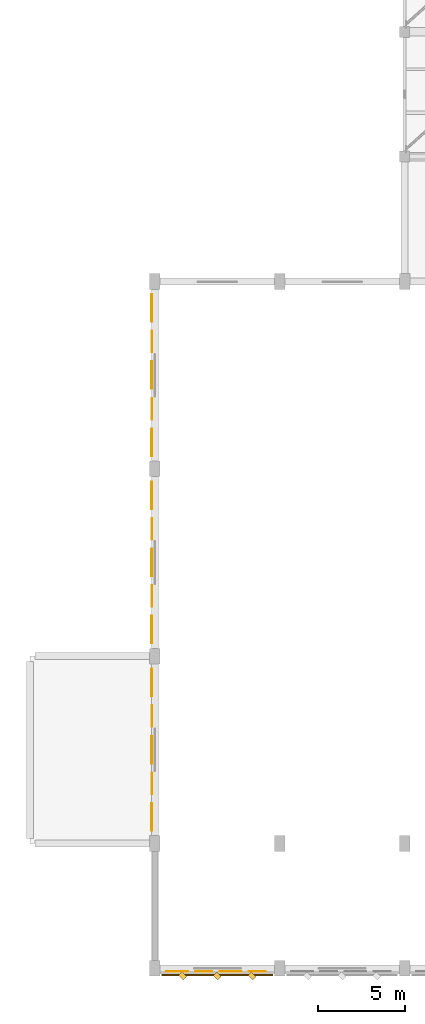
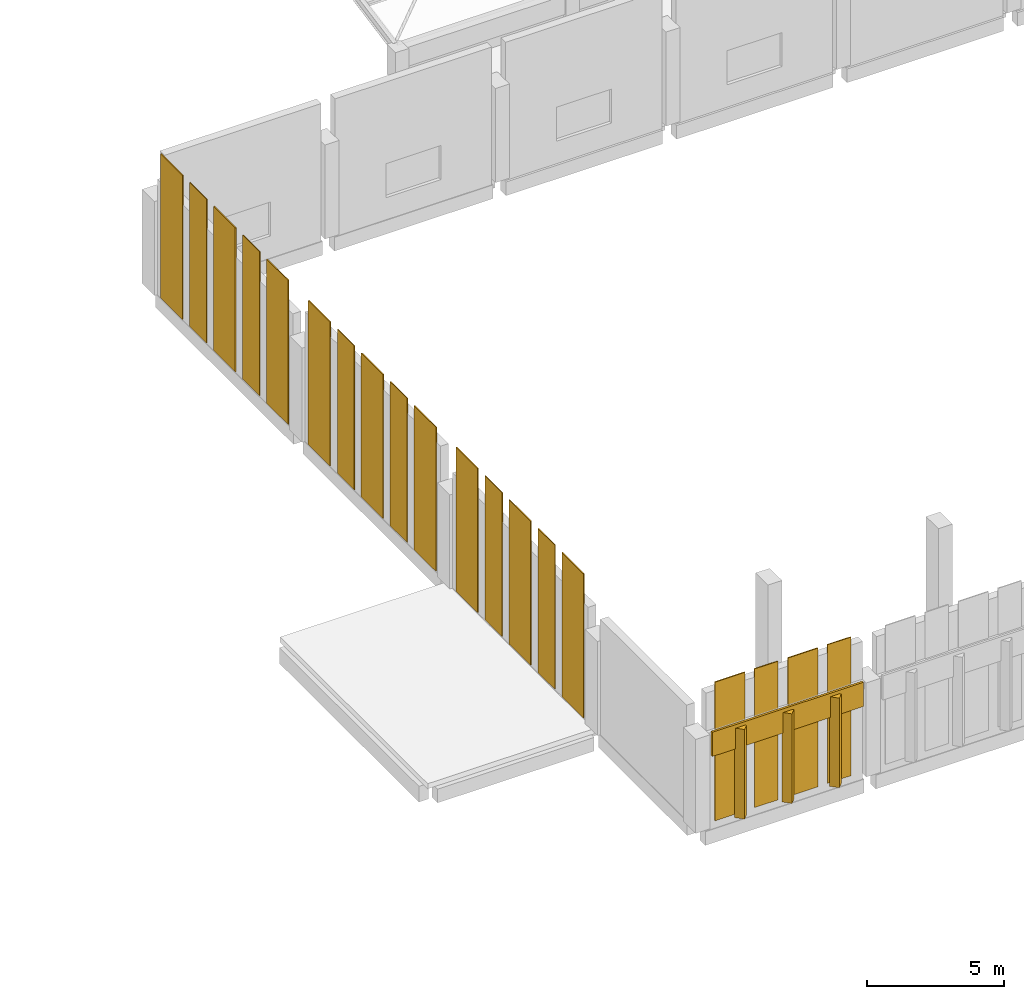
# One storey, part 64 of 72: 23 coverings.
"""IFC4 building model written with IfcOpenShell, lengths in metres."""

from ifc_helpers import new_model, si_unit, direction, frame, origin, origin_2d, place, context, subcontext, project, spatial, rectangle, extrude, material, layer, layer_set, type_object, element, save


model = new_model("IFC4")

# Units and contexts
model_context = context("Model", 3, precision=1e-05, world=origin(), true_north=direction((0.0, 1.0)))
body_context = subcontext(model_context, "Body", "Model", "MODEL_VIEW")
ifc_project = project(units=[si_unit("LENGTHUNIT", "METRE"), si_unit("AREAUNIT", "SQUARE_METRE"), si_unit("VOLUMEUNIT", "CUBIC_METRE"), si_unit("PLANEANGLEUNIT", "RADIAN"), si_unit("MASSUNIT", "GRAM", prefix="KILO")], contexts=[model_context])

# Site, building, storey
site_placement = place(None, origin())
site = spatial("IfcSite", under=ifc_project, at=site_placement, CompositionType="ELEMENT")
building_placement = place(site_placement, origin())
building = spatial("IfcBuilding", under=site, at=building_placement, Name="Lusvemor Sports Hall", CompositionType="ELEMENT")
storey_placement = place(building_placement, frame((0.0, 0.0, 15.0)))
storey = spatial("IfcBuildingStorey", under=building, at=storey_placement, Name="L03", CompositionType="ELEMENT", Elevation=15.0)

# Coverings
ifc_material_1 = material(Name="Emerald polychrome glazed ceramic cladding on Concrete C40/50 backing", Category="concrete")
ifc_layer_1 = layer(ifc_material_1, 0.0458984375)
ifc_layer_set_1 = layer_set([ifc_layer_1], Name="Emerald polychrome glazed ceramic cladding on Concrete C40/50 backing")
covering_type_1 = type_object("IfcCoveringType", Name="CLAD_WAVE_EMERALD", PredefinedType="CLADDING", material=ifc_layer_set_1)
for number, where, z_axis, x_axis, name in (
    (1, (120.090087890625, -0.177978515625, 0.080078125), (0.0, 0.0, 1.0), (1.0, 0.0, 0.0), "Art Nouveau Patterned Cladding PS-V2CS-0-1"),
    (2, (123.169921875, -0.177978515625, 0.080078125), (0.0, 0.0, 1.0), (1.0, 0.0, 0.0), "Art Nouveau Patterned Cladding PS-V2CS-0-3"),
):
    element("IfcCovering", number, at=place(storey_placement, frame(where, z_axis=z_axis, x_axis=x_axis)), inside=storey, type_object=covering_type_1, Name=name, PredefinedType="CLADDING", context=body_context, shape_type="SweptSolid", body=[
        extrude(rectangle(XDim=1.2626953125, YDim=0.0458984375, at=origin_2d()), origin(), (0.0, 0.0, 1.0), 6.18994140625),
    ])
for number, where, z_axis, x_axis, name in (
    (3, (118.6220703125, 8.72802734375, 0.0400390625), (0.0, 0.0, 1.0), (1.0, 0.0, 0.0), "Art Nouveau Patterned Cladding PS-V2W3-1-1"),
    (4, (118.6220703125, 12.60009765625, 0.0400390625), (0.0, 0.0, 1.0), (1.0, 0.0, 0.0), "Art Nouveau Patterned Cladding PS-V2W3-1-3"),
    (5, (118.6220703125, 16.471923828125, 0.0400390625), (0.0, 0.0, 1.0), (1.0, 0.0, 0.0), "Art Nouveau Patterned Cladding PS-V2W3-1-5"),
    (6, (118.6220703125, 19.528076171875, 0.0400390625), (0.0, 0.0, 1.0), (1.0, 0.0, 0.0), "Art Nouveau Patterned Cladding PS-V2W3-2-1"),
    (7, (118.6220703125, 23.39990234375, 0.0400390625), (0.0, 0.0, 1.0), (1.0, 0.0, 0.0), "Art Nouveau Patterned Cladding PS-V2W3-2-3"),
    (8, (118.6220703125, 27.27197265625, 0.0400390625), (0.0, 0.0, 1.0), (1.0, 0.0, 0.0), "Art Nouveau Patterned Cladding PS-V2W3-2-5"),
    (9, (118.6220703125, 30.327880859375, 0.0400390625), (0.0, 0.0, 1.0), (1.0, 0.0, 0.0), "Art Nouveau Patterned Cladding PS-V2W3-3-1"),
    (10, (118.6220703125, 34.199951171875, 0.0400390625), (0.0, 0.0, 1.0), (1.0, 0.0, 0.0), "Art Nouveau Patterned Cladding PS-V2W3-3-3"),
    (11, (118.6220703125, 38.072021484375, 0.0400390625), (0.0, 0.0, 1.0), (1.0, 0.0, 0.0), "Art Nouveau Patterned Cladding PS-V2W3-3-5"),
):
    element("IfcCovering", number, at=place(storey_placement, frame(where, z_axis=z_axis, x_axis=x_axis)), inside=storey, type_object=covering_type_1, Name=name, PredefinedType="CLADDING", context=body_context, shape_type="SweptSolid", body=[
        extrude(rectangle(XDim=0.0458984375, YDim=1.58740234375, at=origin_2d()), origin(), (0.0, 0.0, 1.0), 6.429931640625),
    ])
covering_1_placement = place(storey_placement, frame((122.39990234375, -0.43994140625, 0.10009765625), z_axis=(0.0, 0.0, 1.0), x_axis=(0.707106781187, 0.707106781187, 0.0)))
element("IfcCovering", 12, at=covering_1_placement, inside=storey, type_object=covering_type_1, Name="Patterned Diamond Cladding Rib 158", PredefinedType="CLADDING", context=body_context, shape_type="SweptSolid", body=[
    extrude(rectangle(XDim=0.280029296875, YDim=0.3798828125, at=origin_2d()), origin(), (0.0, 0.0, 1.0), 4.0),
])
ifc_material_2 = material(Name="Warm terracotta Art Nouveau ceramic cladding on Concrete C40/50 backing", Category="masonry")
ifc_layer_2 = layer(ifc_material_2, 0.0380859375)
ifc_layer_set_2 = layer_set([ifc_layer_2], Name="Warm terracotta Art Nouveau ceramic cladding on Concrete C40/50 backing")
covering_type_2 = type_object("IfcCoveringType", Name="CLAD_WAVE_OCHRE", PredefinedType="CLADDING", material=ifc_layer_set_2)
for number, where, z_axis, x_axis, name in (
    (13, (121.6298828125, -0.174072265625, 0.080078125), (0.0, 0.0, 1.0), (1.0, 0.0, 0.0), "Art Nouveau Patterned Cladding PS-V2CS-0-2"),
    (14, (124.7099609375, -0.174072265625, 0.080078125), (0.0, 0.0, 1.0), (1.0, 0.0, 0.0), "Art Nouveau Patterned Cladding PS-V2CS-0-4"),
):
    element("IfcCovering", number, at=place(storey_placement, frame(where, z_axis=z_axis, x_axis=x_axis)), inside=storey, type_object=covering_type_2, Name=name, PredefinedType="CLADDING", context=body_context, shape_type="SweptSolid", body=[
        extrude(rectangle(XDim=0.985595703125, YDim=0.0380859375, at=origin_2d()), origin(), (0.0, 0.0, 1.0), 6.18994140625),
    ])
for number, where, z_axis, x_axis, name in (
    (15, (118.6259765625, 10.6640625, 0.0400390625), (0.0, 0.0, 1.0), (1.0, 0.0, 0.0), "Art Nouveau Patterned Cladding PS-V2W3-1-2"),
    (16, (118.6259765625, 14.535888671875, 0.0400390625), (0.0, 0.0, 1.0), (1.0, 0.0, 0.0), "Art Nouveau Patterned Cladding PS-V2W3-1-4"),
    (17, (118.6259765625, 21.464111328125, 0.0400390625), (0.0, 0.0, 1.0), (1.0, 0.0, 0.0), "Art Nouveau Patterned Cladding PS-V2W3-2-2"),
    (18, (118.6259765625, 25.3359375, 0.0400390625), (0.0, 0.0, 1.0), (1.0, 0.0, 0.0), "Art Nouveau Patterned Cladding PS-V2W3-2-4"),
    (19, (118.6259765625, 32.263916015625, 0.0400390625), (0.0, 0.0, 1.0), (1.0, 0.0, 0.0), "Art Nouveau Patterned Cladding PS-V2W3-3-2"),
    (20, (118.6259765625, 36.135986328125, 0.0400390625), (0.0, 0.0, 1.0), (1.0, 0.0, 0.0), "Art Nouveau Patterned Cladding PS-V2W3-3-4"),
):
    element("IfcCovering", number, at=place(storey_placement, frame(where, z_axis=z_axis, x_axis=x_axis)), inside=storey, type_object=covering_type_2, Name=name, PredefinedType="CLADDING", context=body_context, shape_type="SweptSolid", body=[
        extrude(rectangle(XDim=0.0380859375, YDim=1.239013671875, at=origin_2d()), origin(), (0.0, 0.0, 1.0), 6.429931640625),
    ])
covering_2_placement = place(storey_placement, frame((122.39990234375, -0.389892578125, 3.179931640625), z_axis=(0.0, 0.0, 1.0), x_axis=(1.0, 0.0, 0.0)))
element("IfcCovering", 21, at=covering_2_placement, inside=storey, type_object=covering_type_2, Name="Art Nouveau Spandrel Cornice 156", PredefinedType="CLADDING", context=body_context, shape_type="SweptSolid", body=[
    extrude(rectangle(XDim=6.3798828125, YDim=0.090087890625, at=origin_2d()), origin(), (0.0, 0.0, 1.0), 1.080078125),
])
ifc_material_3 = material(Name="Warm terracotta Art Nouveau ceramic cladding on Concrete C40/50 backing", Category="masonry")
ifc_layer_3 = layer(ifc_material_3, 0.449951171875)
ifc_layer_set_3 = layer_set([ifc_layer_3], Name="Warm terracotta Art Nouveau ceramic cladding on Concrete C40/50 backing")
covering_type_3 = type_object("IfcCoveringType", Name="FIN_BRISE_CER_450", PredefinedType="MOLDING", material=ifc_layer_set_3)
for number, where, z_axis, x_axis, name in (
    (22, (120.39990234375, -0.43994140625, 0.10009765625), (0.0, 0.0, 1.0), (0.707106781187, 0.707106781187, 0.0), "Patterned Diamond Cladding Rib 157"),
    (23, (124.39990234375, -0.43994140625, 0.10009765625), (0.0, 0.0, 1.0), (0.707106781187, 0.707106781187, 0.0), "Patterned Diamond Cladding Rib 159"),
):
    element("IfcCovering", number, at=place(storey_placement, frame(where, z_axis=z_axis, x_axis=x_axis)), inside=storey, type_object=covering_type_3, Name=name, PredefinedType="MOLDING", context=body_context, shape_type="SweptSolid", body=[
        extrude(rectangle(XDim=0.280029296875, YDim=0.3798828125, at=origin_2d()), origin(), (0.0, 0.0, 1.0), 4.0),
    ])

save(model, "model.ifc")
